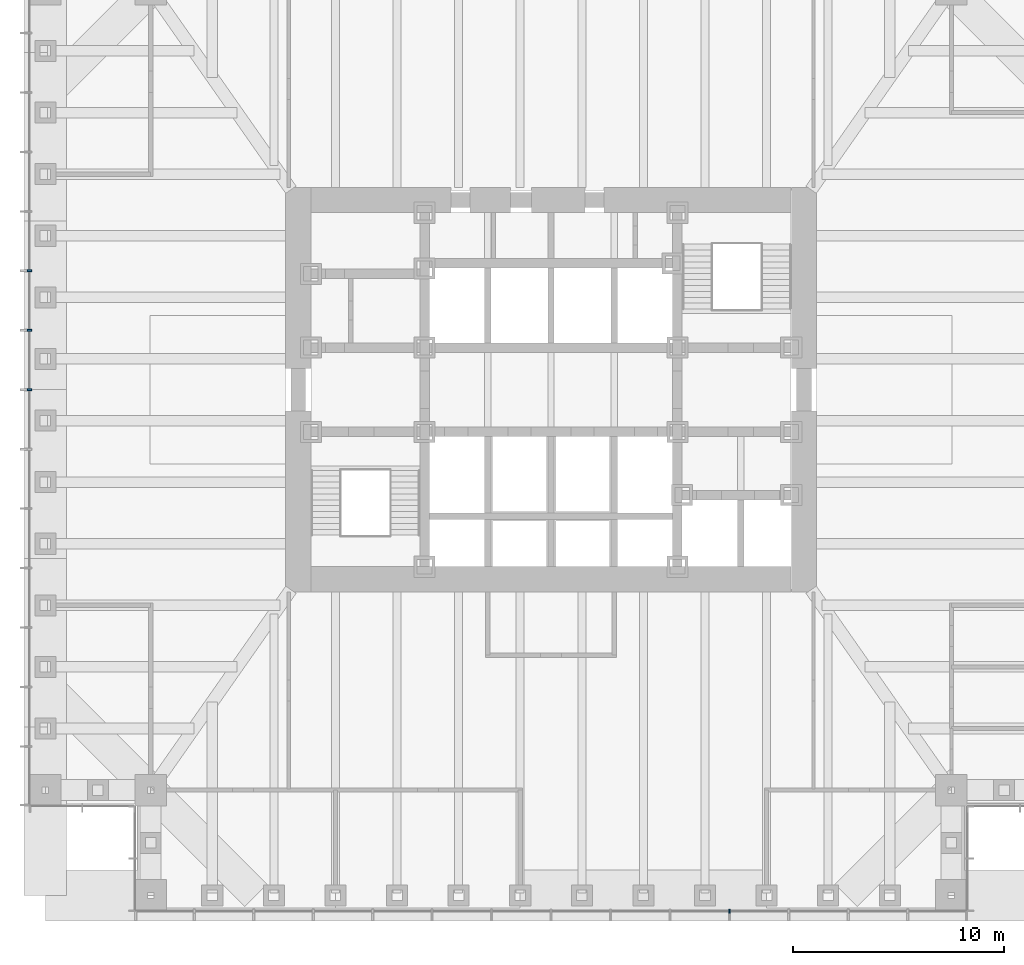
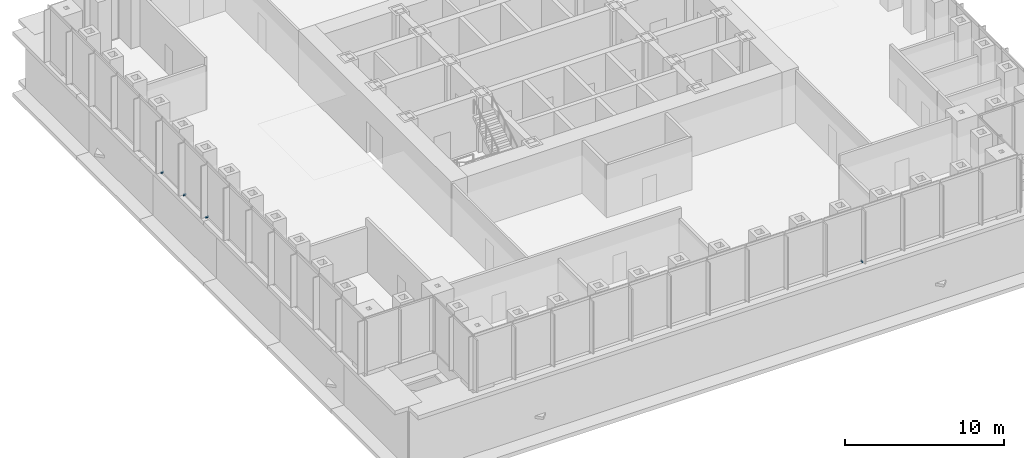
# One storey, part 12 of 16: 4 discrete accessories.
"""IFC4 building model written with IfcOpenShell, lengths in metres."""

from ifc_helpers import new_model, si_unit, direction, frame, origin, origin_2d, place, context, subcontext, project, spatial, rectangle, extrude, element, save


model = new_model("IFC4")

# Units and contexts
model_context = context("Model", 3, precision=1e-05, world=origin(), true_north=direction((0.0, 1.0)))
body_context = subcontext(model_context, "Body", "Model", "MODEL_VIEW")
ifc_project = project(units=[si_unit("LENGTHUNIT", "METRE"), si_unit("AREAUNIT", "SQUARE_METRE"), si_unit("VOLUMEUNIT", "CUBIC_METRE"), si_unit("PLANEANGLEUNIT", "RADIAN"), si_unit("MASSUNIT", "GRAM", prefix="KILO")], contexts=[model_context])

# Site, building, storey
site_placement = place(None, origin())
site = spatial("IfcSite", under=ifc_project, at=site_placement, CompositionType="ELEMENT")
building_placement = place(site_placement, origin())
building = spatial("IfcBuilding", under=site, at=building_placement, Name="Daluyong Arena Tower", CompositionType="ELEMENT")
storey_placement = place(building_placement, frame((0.0, 0.0, 34.89990234375)))
storey = spatial("IfcBuildingStorey", under=building, at=storey_placement, Name="L06", CompositionType="ELEMENT", Elevation=34.89990234375)

# Discrete accessories
for number, where, z_axis, x_axis, name in (
    (1, (64.46435546875, 55.25, -0.099853515625), (0.0, 0.0, 1.0), (1.0, 0.0, 0.0), "curtain wall L06 S anchor bracket 11"),
    (2, (31.25, 85.642822265625, -0.099853515625), (0.0, 0.0, 1.0), (0.0, -1.0, 0.0), "curtain wall L06 W anchor bracket 6"),
    (3, (31.25, 82.821533203125, -0.099853515625), (0.0, 0.0, 1.0), (0.0, -1.0, 0.0), "curtain wall L06 W anchor bracket 7"),
    (4, (31.25, 80.0, -0.099853515625), (0.0, 0.0, 1.0), (0.0, -1.0, 0.0), "curtain wall L06 W anchor bracket 8"),
):
    element("IfcDiscreteAccessory", number, at=place(storey_placement, frame(where, z_axis=z_axis, x_axis=x_axis)), inside=storey, Name=name, PredefinedType="BRACKET", context=body_context, shape_type="SweptSolid", body=[
        extrude(rectangle(XDim=0.080078125, YDim=0.199951171875, at=origin_2d()), origin(), (0.0, 0.0, 1.0), 0.10009765625),
    ])

save(model, "model.ifc")
